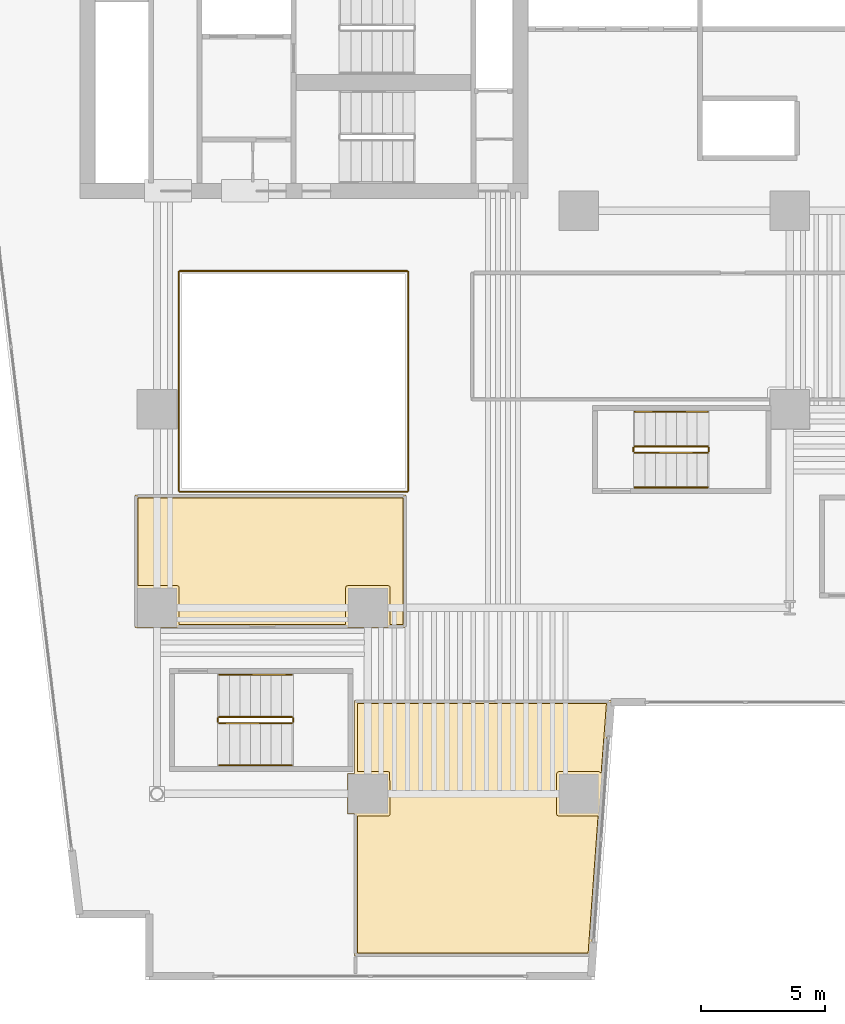
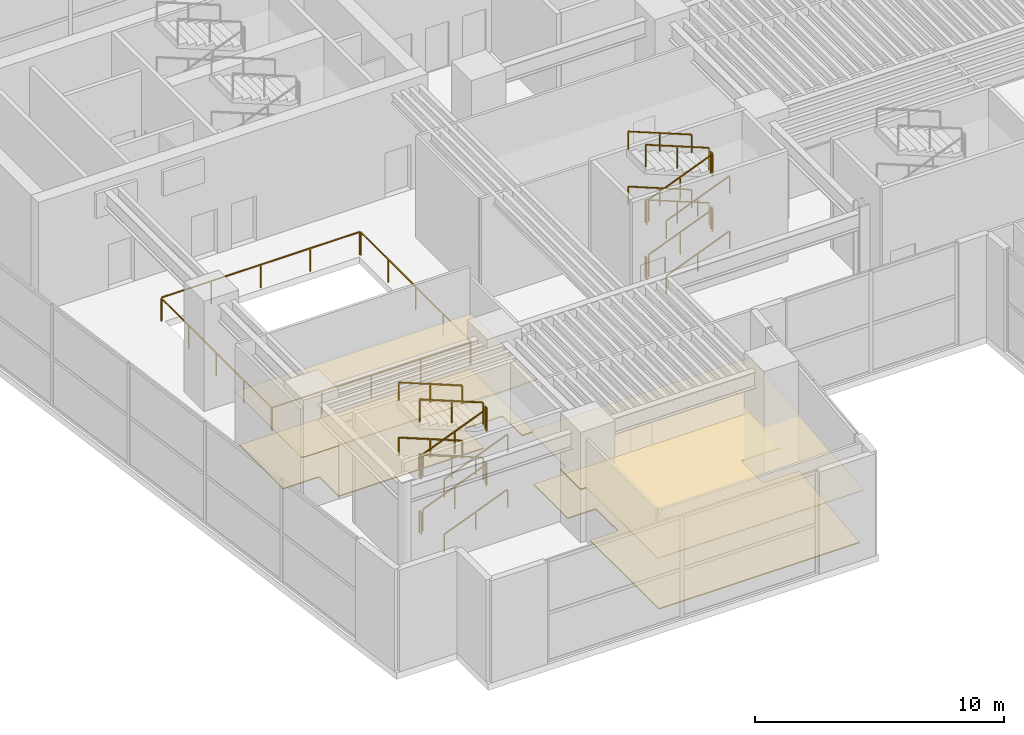
# One storey, part 13 of 16: 28 railings, 4 coverings.
"""IFC4 building model written with IfcOpenShell, lengths in metres."""

from ifc_helpers import new_model, si_unit, direction, frame, origin, origin_2d, place, context, subcontext, project, spatial, polyline, rectangle, outline, extrude, material, layer, layer_set, type_object, element, save


model = new_model("IFC4")

# Units and contexts
model_context = context("Model", 3, precision=1e-05, world=origin(), true_north=direction((0.0, 1.0)))
body_context = subcontext(model_context, "Body", "Model", "MODEL_VIEW")
ifc_project = project(units=[si_unit("LENGTHUNIT", "METRE"), si_unit("AREAUNIT", "SQUARE_METRE"), si_unit("VOLUMEUNIT", "CUBIC_METRE"), si_unit("PLANEANGLEUNIT", "RADIAN"), si_unit("MASSUNIT", "GRAM", prefix="KILO")], contexts=[model_context])

# Site, building, storey
site_placement = place(None, origin())
site = spatial("IfcSite", under=ifc_project, at=site_placement, CompositionType="ELEMENT")
building_placement = place(site_placement, origin())
building = spatial("IfcBuilding", under=site, at=building_placement, Name="Caeloran Harvest Quay", CompositionType="ELEMENT")
storey_placement = place(building_placement, frame((0.0, 0.0, 16.199951171875)))
storey = spatial("IfcBuildingStorey", under=building, at=storey_placement, Name="L04", CompositionType="ELEMENT", Elevation=16.199951171875)

# Coverings
ifc_material_1 = material(Name="Perforated Mineral-Fibre Acoustic Ceiling Tile", Category="ceiling")
ifc_layer_1 = layer(ifc_material_1, 0.0400390625, Name="Perforated Mineral-Fibre Acoustic Ceiling Tile")
ifc_layer_set_1 = layer_set([ifc_layer_1], Name="Perforated Mineral-Fibre Acoustic Ceiling Tile")
covering_type_1 = type_object("IfcCoveringType", Name="COV-CEILING-ACOUSTIC", PredefinedType="CEILING", material=ifc_layer_set_1)
covering_1_placement = place(storey_placement, frame((0.0, 0.0, 2.60009765625)))
element("IfcCovering", 1, at=covering_1_placement, inside=storey, type_object=covering_type_1, Name="Urban Agriculture Culinary Teaching Classroom Acoustic Ceiling", PredefinedType="CEILING", context=body_context, shape_type="SweptSolid", body=[
    extrude(outline(polyline([(9.320068359375, 14.179931640625), (7.679931640625, 14.179931640625), (7.679931640625, 14.2099609375), (7.610107421875, 14.2099609375), (7.610107421875, 19.5400390625), (18.5400390625, 19.5400390625), (18.5400390625, 14.2099609375), (17.820068359375, 14.2099609375), (17.820068359375, 14.179931640625), (16.179931640625, 14.179931640625), (16.179931640625, 14.2099609375), (9.320068359375, 14.2099609375), (9.320068359375, 14.179931640625)])), origin(), (0.0, 0.0, 1.0), 0.0400390625),
])
covering_2_placement = place(storey_placement, frame((0.0, 0.0, 2.60009765625)))
element("IfcCovering", 2, at=covering_2_placement, inside=storey, type_object=covering_type_1, Name="Sensory Nutrition Seminar Auditorium Acoustic Ceiling", PredefinedType="CEILING", context=body_context, shape_type="SweptSolid", body=[
    extrude(outline(polyline([(26.763916015625, 11.177001953125), (26.716552734375, 11.054931640625), (25.985107421875, 0.9599609375), (16.4599609375, 0.9599609375), (16.4599609375, 6.679931640625), (16.179931640625, 6.679931640625), (16.179931640625, 8.320068359375), (16.4599609375, 8.320068359375), (16.4599609375, 11.260009765625), (26.8369140625, 11.260009765625), (26.763916015625, 11.177001953125)])), origin(), (0.0, 0.0, 1.0), 0.0400390625),
])
ifc_material_2 = material(Name="Calcium-Sulphate Raised Access Floor and Terrazzo Finish", Category="flooring")
ifc_layer_2 = layer(ifc_material_2, 0.050048828125, Name="Calcium-Sulphate Raised Access Floor and Terrazzo Finish")
ifc_layer_set_2 = layer_set([ifc_layer_2], Name="Calcium-Sulphate Raised Access Floor and Terrazzo Finish")
covering_type_2 = type_object("IfcCoveringType", Name="COV-FLOOR-RAISED", PredefinedType="FLOORING", material=ifc_layer_set_2)
covering_3_placement = place(storey_placement, origin())
element("IfcCovering", 3, at=covering_3_placement, inside=storey, type_object=covering_type_2, Name="Urban Agriculture Culinary Teaching Classroom Raised Finish Flooring", PredefinedType="FLOORING", context=body_context, shape_type="SweptSolid", body=[
    extrude(outline(polyline([(7.72998046875, 15.89501953125), (7.72998046875, 19.419921875), (18.419921875, 19.419921875), (18.419921875, 14.330078125), (17.89501953125, 14.330078125), (17.89501953125, 15.81494140625), (17.876708984375, 15.86572265625), (17.82275390625, 15.89453125), (16.18505859375, 15.89501953125), (16.12841796875, 15.87158203125), (16.10498046875, 15.81494140625), (16.10498046875, 14.330078125), (9.39501953125, 14.330078125), (9.39501953125, 15.81494140625), (9.37158203125, 15.87158203125), (9.31494140625, 15.89501953125), (7.72998046875, 15.89501953125)])), origin(), (0.0, 0.0, 1.0), 0.050048828125),
])
covering_4_placement = place(storey_placement, origin())
element("IfcCovering", 4, at=covering_4_placement, inside=storey, type_object=covering_type_2, Name="Sensory Nutrition Seminar Auditorium Raised Finish Flooring", PredefinedType="FLOORING", context=body_context, shape_type="SweptSolid", body=[
    extrude(outline(polyline([(26.273681640625, 6.60498046875), (25.873291015625, 1.080078125), (16.580078125, 1.080078125), (16.580078125, 6.60498046875), (17.82275390625, 6.60546875), (17.876708984375, 6.63427734375), (17.89501953125, 6.68505859375), (17.876708984375, 8.36572265625), (17.81494140625, 8.39501953125), (16.580078125, 8.39501953125), (16.580078125, 11.139892578125), (26.611328125, 11.139892578125), (26.39501953125, 8.278564453125), (26.381591796875, 8.359375), (26.31494140625, 8.39501953125), (24.68505859375, 8.39501953125), (24.63427734375, 8.376708984375), (24.60546875, 8.32275390625), (24.60498046875, 6.68505859375), (24.62841796875, 6.62841796875), (24.68505859375, 6.60498046875), (26.273681640625, 6.60498046875)])), origin(), (0.0, 0.0, 1.0), 0.050048828125),
])

# Railings
ifc_material_3 = material(Name="Powder-Coated Steel Post and Laminated Glass Guardrail", Category="steel")
ifc_layer_3 = layer(ifc_material_3, 0.06005859375, Name="Powder-Coated Steel Post and Laminated Glass Guardrail")
ifc_layer_set_3 = layer_set([ifc_layer_3], Name="Powder-Coated Steel Post and Laminated Glass Guardrail")
railing_type_1 = type_object("IfcRailingType", Name="GUARD-ATRIUM-1150", PredefinedType="GUARDRAIL", material=ifc_layer_set_3)
railing_1_placement = place(storey_placement, frame((9.412109375, 19.679931640625, 0.0)))
element("IfcRailing", 5, at=railing_1_placement, inside=storey, type_object=railing_type_1, Name="L04 Skylit Atrium Void Perimeter Guardrail Seg 1", PredefinedType="GUARDRAIL", context=body_context, shape_type="SweptSolid", body=[
    extrude(rectangle(XDim=0.048095703125, YDim=0.048095703125, at=origin_2d()), frame((0.0, 0.0, 1.1259765625), z_axis=(1.0, 0.0, 0.0), x_axis=(0.0, 1.0, 0.0)), (0.0, 0.0, 1.0), 9.17578125),
    extrude(rectangle(XDim=0.0419921875, YDim=0.0419921875, at=origin_2d()), origin(), (0.0, 0.0, 1.0), 1.101806640625),
    extrude(rectangle(XDim=0.0419921875, YDim=0.0419921875, at=origin_2d()), frame((2.2939453125, 0.0, 0.0)), (0.0, 0.0, 1.0), 1.101806640625),
    extrude(rectangle(XDim=0.0419921875, YDim=0.0419921875, at=origin_2d()), frame((4.587890625, 0.0, 0.0)), (0.0, 0.0, 1.0), 1.101806640625),
    extrude(rectangle(XDim=0.0419921875, YDim=0.0419921875, at=origin_2d()), frame((6.8818359375, 0.0, 0.0)), (0.0, 0.0, 1.0), 1.101806640625),
    extrude(rectangle(XDim=0.0419921875, YDim=0.0419921875, at=origin_2d()), frame((9.17578125, 0.0, 0.0)), (0.0, 0.0, 1.0), 1.101806640625),
])
railing_2_placement = place(storey_placement, frame((18.6201171875, 19.7119140625, 0.0)))
element("IfcRailing", 6, at=railing_2_placement, inside=storey, type_object=railing_type_1, Name="L04 Skylit Atrium Void Perimeter Guardrail Seg 2", PredefinedType="GUARDRAIL", context=body_context, shape_type="SweptSolid", body=[
    extrude(rectangle(XDim=0.048095703125, YDim=0.048095703125, at=origin_2d()), frame((0.0, 0.0, 1.1259765625), z_axis=(0.0, 1.0, 0.0), x_axis=(-1.0, 0.0, 0.0)), (0.0, 0.0, 1.0), 8.826171875),
    extrude(rectangle(XDim=0.0419921875, YDim=0.0419921875, at=origin_2d()), origin(), (0.0, 0.0, 1.0), 1.101806640625),
    extrude(rectangle(XDim=0.0419921875, YDim=0.0419921875, at=origin_2d()), frame((0.0, 2.20654296875, 0.0)), (0.0, 0.0, 1.0), 1.101806640625),
    extrude(rectangle(XDim=0.0419921875, YDim=0.0419921875, at=origin_2d()), frame((0.0, 4.4130859375, 0.0)), (0.0, 0.0, 1.0), 1.101806640625),
    extrude(rectangle(XDim=0.0419921875, YDim=0.0419921875, at=origin_2d()), frame((0.0, 6.61962890625, 0.0)), (0.0, 0.0, 1.0), 1.101806640625),
    extrude(rectangle(XDim=0.0419921875, YDim=0.0419921875, at=origin_2d()), frame((0.0, 8.826171875, 0.0)), (0.0, 0.0, 1.0), 1.101806640625),
])
railing_3_placement = place(storey_placement, frame((18.587890625, 28.570068359375, 0.0)))
element("IfcRailing", 7, at=railing_3_placement, inside=storey, type_object=railing_type_1, Name="L04 Skylit Atrium Void Perimeter Guardrail Seg 3", PredefinedType="GUARDRAIL", context=body_context, shape_type="SweptSolid", body=[
    extrude(rectangle(XDim=0.048095703125, YDim=0.048095703125, at=origin_2d()), frame((0.0, 0.0, 1.1259765625), z_axis=(-1.0, 0.0, 0.0), x_axis=(0.0, -1.0, 0.0)), (0.0, 0.0, 1.0), 9.17578125),
    extrude(rectangle(XDim=0.0419921875, YDim=0.0419921875, at=origin_2d()), origin(), (0.0, 0.0, 1.0), 1.101806640625),
    extrude(rectangle(XDim=0.0419921875, YDim=0.0419921875, at=origin_2d()), frame((-2.2939453125, 0.0, 0.0)), (0.0, 0.0, 1.0), 1.101806640625),
    extrude(rectangle(XDim=0.0419921875, YDim=0.0419921875, at=origin_2d()), frame((-4.587890625, 0.0, 0.0)), (0.0, 0.0, 1.0), 1.101806640625),
    extrude(rectangle(XDim=0.0419921875, YDim=0.0419921875, at=origin_2d()), frame((-6.8818359375, 0.0, 0.0)), (0.0, 0.0, 1.0), 1.101806640625),
    extrude(rectangle(XDim=0.0419921875, YDim=0.0419921875, at=origin_2d()), frame((-9.17578125, 0.0, 0.0)), (0.0, 0.0, 1.0), 1.101806640625),
])
railing_4_placement = place(storey_placement, frame((9.3798828125, 28.5380859375, 0.0)))
element("IfcRailing", 8, at=railing_4_placement, inside=storey, type_object=railing_type_1, Name="L04 Skylit Atrium Void Perimeter Guardrail Seg 4", PredefinedType="GUARDRAIL", context=body_context, shape_type="SweptSolid", body=[
    extrude(rectangle(XDim=0.048095703125, YDim=0.048095703125, at=origin_2d()), frame((0.0, 0.0, 1.1259765625), z_axis=(0.0, -1.0, 0.0), x_axis=(1.0, 0.0, 0.0)), (0.0, 0.0, 1.0), 8.826171875),
    extrude(rectangle(XDim=0.0419921875, YDim=0.0419921875, at=origin_2d()), origin(), (0.0, 0.0, 1.0), 1.101806640625),
    extrude(rectangle(XDim=0.0419921875, YDim=0.0419921875, at=origin_2d()), frame((0.0, -2.20654296875, 0.0)), (0.0, 0.0, 1.0), 1.101806640625),
    extrude(rectangle(XDim=0.0419921875, YDim=0.0419921875, at=origin_2d()), frame((0.0, -4.4130859375, 0.0)), (0.0, 0.0, 1.0), 1.101806640625),
    extrude(rectangle(XDim=0.0419921875, YDim=0.0419921875, at=origin_2d()), frame((0.0, -6.61962890625, 0.0)), (0.0, 0.0, 1.0), 1.101806640625),
    extrude(rectangle(XDim=0.0419921875, YDim=0.0419921875, at=origin_2d()), frame((0.0, -8.826171875, 0.0)), (0.0, 0.0, 1.0), 1.101806640625),
])
ifc_material_4 = material(Name="Painted Steel Baluster and Top-Rail Stair Guard", Category="steel")
ifc_layer_4 = layer(ifc_material_4, 0.050048828125, Name="Painted Steel Baluster and Top-Rail Stair Guard")
ifc_layer_set_4 = layer_set([ifc_layer_4], Name="Painted Steel Baluster and Top-Rail Stair Guard")
railing_type_2 = type_object("IfcRailingType", Name="STAIR-GUARD-1100", PredefinedType="GUARDRAIL", material=ifc_layer_set_4)
railing_5_placement = place(storey_placement, frame((27.75, 21.25, 0.168701171875)))
element("IfcRailing", 9, at=railing_5_placement, inside=storey, type_object=railing_type_2, Name="L04 ST-W1 stair guard 1", PredefinedType="GUARDRAIL", context=body_context, shape_type="SweptSolid", body=[
    extrude(rectangle(XDim=0.048095703125, YDim=0.048095703125, at=origin_2d()), frame((0.0, 0.0, 1.076171875), z_axis=(0.927885657282, 0.0, 0.372864864274), x_axis=(0.0, 1.0, 0.0)), (0.0, 0.0, 1.0), 3.16845703125),
    extrude(rectangle(XDim=0.0419921875, YDim=0.0419921875, at=origin_2d()), origin(), (0.0, 0.0, 1.0), 1.052001953125),
    extrude(rectangle(XDim=0.0419921875, YDim=0.0419921875, at=origin_2d()), frame((1.469970703125, 0.0, 0.5908203125)), (0.0, 0.0, 1.0), 1.052001953125),
    extrude(rectangle(XDim=0.0419921875, YDim=0.0419921875, at=origin_2d()), frame((2.93994140625, 0.0, 1.181396484375)), (0.0, 0.0, 1.0), 1.052001953125),
])
railing_6_placement = place(storey_placement, frame((30.739990234375, 21.300048828125, 1.35009765625)))
element("IfcRailing", 10, at=railing_6_placement, inside=storey, type_object=railing_type_2, Name="L04 ST-W1 stair guard 2", PredefinedType="GUARDRAIL", context=body_context, shape_type="SweptSolid", body=[
    extrude(rectangle(XDim=0.048095703125, YDim=0.048095703125, at=origin_2d()), frame((0.0, 0.0, 1.076171875), z_axis=(0.0, 1.0, 0.0), x_axis=(-1.0, 0.0, 0.0)), (0.0, 0.0, 1.0), 0.14990234375),
    extrude(rectangle(XDim=0.0419921875, YDim=0.0419921875, at=origin_2d()), origin(), (0.0, 0.0, 1.0), 1.052001953125),
    extrude(rectangle(XDim=0.0419921875, YDim=0.0419921875, at=origin_2d()), frame((0.0, 0.14990234375, 0.0)), (0.0, 0.0, 1.0), 1.052001953125),
])
railing_7_placement = place(storey_placement, frame((30.68994140625, 21.5, 1.518798828125)))
element("IfcRailing", 11, at=railing_7_placement, inside=storey, type_object=railing_type_2, Name="L04 ST-W1 stair guard 3", PredefinedType="GUARDRAIL", context=body_context, shape_type="SweptSolid", body=[
    extrude(rectangle(XDim=0.048095703125, YDim=0.048095703125, at=origin_2d()), frame((0.0, 0.0, 1.076171875), z_axis=(-0.927912314548, 0.0, 0.372798519995), x_axis=(0.0, -1.0, 0.0)), (0.0, 0.0, 1.0), 3.16845703125),
    extrude(rectangle(XDim=0.0419921875, YDim=0.0419921875, at=origin_2d()), origin(), (0.0, 0.0, 1.0), 1.052001953125),
    extrude(rectangle(XDim=0.0419921875, YDim=0.0419921875, at=origin_2d()), frame((-1.469970703125, 0.0, 0.590576171875)), (0.0, 0.0, 1.0), 1.052001953125),
    extrude(rectangle(XDim=0.0419921875, YDim=0.0419921875, at=origin_2d()), frame((-2.93994140625, 0.0, 1.18115234375)), (0.0, 0.0, 1.0), 1.052001953125),
])
railing_8_placement = place(storey_placement, frame((27.699951171875, 21.300048828125, 2.699951171875)))
element("IfcRailing", 12, at=railing_8_placement, inside=storey, type_object=railing_type_2, Name="L04 ST-W1 stair guard 4", PredefinedType="GUARDRAIL", context=body_context, shape_type="SweptSolid", body=[
    extrude(rectangle(XDim=0.048095703125, YDim=0.048095703125, at=origin_2d()), frame((0.0, 0.0, 1.076171875), z_axis=(0.0, 1.0, 0.0), x_axis=(-1.0, 0.0, 0.0)), (0.0, 0.0, 1.0), 0.14990234375),
    extrude(rectangle(XDim=0.0419921875, YDim=0.0419921875, at=origin_2d()), origin(), (0.0, 0.0, 1.0), 1.052001953125),
    extrude(rectangle(XDim=0.0419921875, YDim=0.0419921875, at=origin_2d()), frame((0.0, 0.14990234375, 0.0)), (0.0, 0.0, 1.0), 1.052001953125),
])
railing_9_placement = place(storey_placement, frame((27.75, 21.25, 2.868896484375)))
element("IfcRailing", 13, at=railing_9_placement, inside=storey, type_object=railing_type_2, Name="L04 ST-W1 stair guard 5", PredefinedType="GUARDRAIL", context=body_context, shape_type="SweptSolid", body=[
    extrude(rectangle(XDim=0.048095703125, YDim=0.048095703125, at=origin_2d()), frame((0.0, 0.0, 1.076171875), z_axis=(0.927912314548, 0.0, 0.372798519995), x_axis=(0.0, 1.0, 0.0)), (0.0, 0.0, 1.0), 3.16845703125),
    extrude(rectangle(XDim=0.0419921875, YDim=0.0419921875, at=origin_2d()), origin(), (0.0, 0.0, 1.0), 1.052001953125),
    extrude(rectangle(XDim=0.0419921875, YDim=0.0419921875, at=origin_2d()), frame((1.469970703125, 0.0, 0.590576171875)), (0.0, 0.0, 1.0), 1.052001953125),
    extrude(rectangle(XDim=0.0419921875, YDim=0.0419921875, at=origin_2d()), frame((2.93994140625, 0.0, 1.18115234375)), (0.0, 0.0, 1.0), 1.052001953125),
])
railing_10_placement = place(storey_placement, frame((30.739990234375, 21.300048828125, 4.050048828125)))
element("IfcRailing", 14, at=railing_10_placement, inside=storey, type_object=railing_type_2, Name="L04 ST-W1 stair guard 6", PredefinedType="GUARDRAIL", context=body_context, shape_type="SweptSolid", body=[
    extrude(rectangle(XDim=0.048095703125, YDim=0.048095703125, at=origin_2d()), frame((0.0, 0.0, 1.076171875), z_axis=(0.0, 1.0, 0.0), x_axis=(-1.0, 0.0, 0.0)), (0.0, 0.0, 1.0), 0.14990234375),
    extrude(rectangle(XDim=0.0419921875, YDim=0.0419921875, at=origin_2d()), origin(), (0.0, 0.0, 1.0), 1.052001953125),
    extrude(rectangle(XDim=0.0419921875, YDim=0.0419921875, at=origin_2d()), frame((0.0, 0.14990234375, 0.0)), (0.0, 0.0, 1.0), 1.052001953125),
])
railing_11_placement = place(storey_placement, frame((30.68994140625, 21.5, 4.21875)))
element("IfcRailing", 15, at=railing_11_placement, inside=storey, type_object=railing_type_2, Name="L04 ST-W1 stair guard 7", PredefinedType="GUARDRAIL", context=body_context, shape_type="SweptSolid", body=[
    extrude(rectangle(XDim=0.048095703125, YDim=0.048095703125, at=origin_2d()), frame((0.0, 0.0, 1.076171875), z_axis=(-0.927885657282, 0.0, 0.372864864274), x_axis=(0.0, -1.0, 0.0)), (0.0, 0.0, 1.0), 3.16845703125),
    extrude(rectangle(XDim=0.0419921875, YDim=0.0419921875, at=origin_2d()), origin(), (0.0, 0.0, 1.0), 1.052001953125),
    extrude(rectangle(XDim=0.0419921875, YDim=0.0419921875, at=origin_2d()), frame((-1.469970703125, 0.0, 0.5908203125)), (0.0, 0.0, 1.0), 1.052001953125),
    extrude(rectangle(XDim=0.0419921875, YDim=0.0419921875, at=origin_2d()), frame((-2.93994140625, 0.0, 1.181396484375)), (0.0, 0.0, 1.0), 1.052001953125),
])
railing_12_placement = place(storey_placement, frame((27.699951171875, 21.300048828125, 0.0)))
element("IfcRailing", 16, at=railing_12_placement, inside=storey, type_object=railing_type_2, Name="L04 ST-W1 stair guard 8", PredefinedType="GUARDRAIL", context=body_context, shape_type="SweptSolid", body=[
    extrude(rectangle(XDim=0.048095703125, YDim=0.048095703125, at=origin_2d()), frame((0.0, 0.0, 1.076171875), z_axis=(0.0, 1.0, 0.0), x_axis=(-1.0, 0.0, 0.0)), (0.0, 0.0, 1.0), 0.14990234375),
    extrude(rectangle(XDim=0.0419921875, YDim=0.0419921875, at=origin_2d()), origin(), (0.0, 0.0, 1.0), 1.052001953125),
    extrude(rectangle(XDim=0.0419921875, YDim=0.0419921875, at=origin_2d()), frame((0.0, 0.14990234375, 0.0)), (0.0, 0.0, 1.0), 1.052001953125),
])
railing_13_placement = place(storey_placement, frame((11.0, 10.35009765625, 0.168701171875)))
element("IfcRailing", 17, at=railing_13_placement, inside=storey, type_object=railing_type_2, Name="L04 ST-P1 stair guard 1", PredefinedType="GUARDRAIL", context=body_context, shape_type="SweptSolid", body=[
    extrude(rectangle(XDim=0.048095703125, YDim=0.048095703125, at=origin_2d()), frame((0.0, 0.0, 1.076171875), z_axis=(0.927885657282, 0.0, 0.372864864274), x_axis=(0.0, 1.0, 0.0)), (0.0, 0.0, 1.0), 3.16845703125),
    extrude(rectangle(XDim=0.0419921875, YDim=0.0419921875, at=origin_2d()), origin(), (0.0, 0.0, 1.0), 1.052001953125),
    extrude(rectangle(XDim=0.0419921875, YDim=0.0419921875, at=origin_2d()), frame((1.469970703125, 0.0, 0.5908203125)), (0.0, 0.0, 1.0), 1.052001953125),
    extrude(rectangle(XDim=0.0419921875, YDim=0.0419921875, at=origin_2d()), frame((2.93994140625, 0.0, 1.181396484375)), (0.0, 0.0, 1.0), 1.052001953125),
])
railing_14_placement = place(storey_placement, frame((13.989990234375, 10.39990234375, 1.35009765625)))
element("IfcRailing", 18, at=railing_14_placement, inside=storey, type_object=railing_type_2, Name="L04 ST-P1 stair guard 2", PredefinedType="GUARDRAIL", context=body_context, shape_type="SweptSolid", body=[
    extrude(rectangle(XDim=0.048095703125, YDim=0.048095703125, at=origin_2d()), frame((0.0, 0.0, 1.076171875), z_axis=(0.0, 1.0, 0.0), x_axis=(-1.0, 0.0, 0.0)), (0.0, 0.0, 1.0), 0.150146484375),
    extrude(rectangle(XDim=0.0419921875, YDim=0.0419921875, at=origin_2d()), origin(), (0.0, 0.0, 1.0), 1.052001953125),
    extrude(rectangle(XDim=0.0419921875, YDim=0.0419921875, at=origin_2d()), frame((0.0, 0.150146484375, 0.0)), (0.0, 0.0, 1.0), 1.052001953125),
])
railing_15_placement = place(storey_placement, frame((13.93994140625, 10.60009765625, 1.518798828125)))
element("IfcRailing", 19, at=railing_15_placement, inside=storey, type_object=railing_type_2, Name="L04 ST-P1 stair guard 3", PredefinedType="GUARDRAIL", context=body_context, shape_type="SweptSolid", body=[
    extrude(rectangle(XDim=0.048095703125, YDim=0.048095703125, at=origin_2d()), frame((0.0, 0.0, 1.076171875), z_axis=(-0.927912314548, 0.0, 0.372798519995), x_axis=(0.0, -1.0, 0.0)), (0.0, 0.0, 1.0), 3.16845703125),
    extrude(rectangle(XDim=0.0419921875, YDim=0.0419921875, at=origin_2d()), origin(), (0.0, 0.0, 1.0), 1.052001953125),
    extrude(rectangle(XDim=0.0419921875, YDim=0.0419921875, at=origin_2d()), frame((-1.469970703125, 0.0, 0.590576171875)), (0.0, 0.0, 1.0), 1.052001953125),
    extrude(rectangle(XDim=0.0419921875, YDim=0.0419921875, at=origin_2d()), frame((-2.93994140625, 0.0, 1.18115234375)), (0.0, 0.0, 1.0), 1.052001953125),
])
railing_16_placement = place(storey_placement, frame((10.949951171875, 10.39990234375, 2.699951171875)))
element("IfcRailing", 20, at=railing_16_placement, inside=storey, type_object=railing_type_2, Name="L04 ST-P1 stair guard 4", PredefinedType="GUARDRAIL", context=body_context, shape_type="SweptSolid", body=[
    extrude(rectangle(XDim=0.048095703125, YDim=0.048095703125, at=origin_2d()), frame((0.0, 0.0, 1.076171875), z_axis=(0.0, 1.0, 0.0), x_axis=(-1.0, 0.0, 0.0)), (0.0, 0.0, 1.0), 0.150146484375),
    extrude(rectangle(XDim=0.0419921875, YDim=0.0419921875, at=origin_2d()), origin(), (0.0, 0.0, 1.0), 1.052001953125),
    extrude(rectangle(XDim=0.0419921875, YDim=0.0419921875, at=origin_2d()), frame((0.0, 0.150146484375, 0.0)), (0.0, 0.0, 1.0), 1.052001953125),
])
railing_17_placement = place(storey_placement, frame((11.0, 10.35009765625, 2.868896484375)))
element("IfcRailing", 21, at=railing_17_placement, inside=storey, type_object=railing_type_2, Name="L04 ST-P1 stair guard 5", PredefinedType="GUARDRAIL", context=body_context, shape_type="SweptSolid", body=[
    extrude(rectangle(XDim=0.048095703125, YDim=0.048095703125, at=origin_2d()), frame((0.0, 0.0, 1.076171875), z_axis=(0.927912314548, 0.0, 0.372798519995), x_axis=(0.0, 1.0, 0.0)), (0.0, 0.0, 1.0), 3.16845703125),
    extrude(rectangle(XDim=0.0419921875, YDim=0.0419921875, at=origin_2d()), origin(), (0.0, 0.0, 1.0), 1.052001953125),
    extrude(rectangle(XDim=0.0419921875, YDim=0.0419921875, at=origin_2d()), frame((1.469970703125, 0.0, 0.590576171875)), (0.0, 0.0, 1.0), 1.052001953125),
    extrude(rectangle(XDim=0.0419921875, YDim=0.0419921875, at=origin_2d()), frame((2.93994140625, 0.0, 1.18115234375)), (0.0, 0.0, 1.0), 1.052001953125),
])
railing_18_placement = place(storey_placement, frame((13.989990234375, 10.39990234375, 4.050048828125)))
element("IfcRailing", 22, at=railing_18_placement, inside=storey, type_object=railing_type_2, Name="L04 ST-P1 stair guard 6", PredefinedType="GUARDRAIL", context=body_context, shape_type="SweptSolid", body=[
    extrude(rectangle(XDim=0.048095703125, YDim=0.048095703125, at=origin_2d()), frame((0.0, 0.0, 1.076171875), z_axis=(0.0, 1.0, 0.0), x_axis=(-1.0, 0.0, 0.0)), (0.0, 0.0, 1.0), 0.150146484375),
    extrude(rectangle(XDim=0.0419921875, YDim=0.0419921875, at=origin_2d()), origin(), (0.0, 0.0, 1.0), 1.052001953125),
    extrude(rectangle(XDim=0.0419921875, YDim=0.0419921875, at=origin_2d()), frame((0.0, 0.150146484375, 0.0)), (0.0, 0.0, 1.0), 1.052001953125),
])
railing_19_placement = place(storey_placement, frame((13.93994140625, 10.60009765625, 4.21875)))
element("IfcRailing", 23, at=railing_19_placement, inside=storey, type_object=railing_type_2, Name="L04 ST-P1 stair guard 7", PredefinedType="GUARDRAIL", context=body_context, shape_type="SweptSolid", body=[
    extrude(rectangle(XDim=0.048095703125, YDim=0.048095703125, at=origin_2d()), frame((0.0, 0.0, 1.076171875), z_axis=(-0.927885657282, 0.0, 0.372864864274), x_axis=(0.0, -1.0, 0.0)), (0.0, 0.0, 1.0), 3.16845703125),
    extrude(rectangle(XDim=0.0419921875, YDim=0.0419921875, at=origin_2d()), origin(), (0.0, 0.0, 1.0), 1.052001953125),
    extrude(rectangle(XDim=0.0419921875, YDim=0.0419921875, at=origin_2d()), frame((-1.469970703125, 0.0, 0.5908203125)), (0.0, 0.0, 1.0), 1.052001953125),
    extrude(rectangle(XDim=0.0419921875, YDim=0.0419921875, at=origin_2d()), frame((-2.93994140625, 0.0, 1.181396484375)), (0.0, 0.0, 1.0), 1.052001953125),
])
railing_20_placement = place(storey_placement, frame((10.949951171875, 10.39990234375, 0.0)))
element("IfcRailing", 24, at=railing_20_placement, inside=storey, type_object=railing_type_2, Name="L04 ST-P1 stair guard 8", PredefinedType="GUARDRAIL", context=body_context, shape_type="SweptSolid", body=[
    extrude(rectangle(XDim=0.048095703125, YDim=0.048095703125, at=origin_2d()), frame((0.0, 0.0, 1.076171875), z_axis=(0.0, 1.0, 0.0), x_axis=(-1.0, 0.0, 0.0)), (0.0, 0.0, 1.0), 0.150146484375),
    extrude(rectangle(XDim=0.0419921875, YDim=0.0419921875, at=origin_2d()), origin(), (0.0, 0.0, 1.0), 1.052001953125),
    extrude(rectangle(XDim=0.0419921875, YDim=0.0419921875, at=origin_2d()), frame((0.0, 0.150146484375, 0.0)), (0.0, 0.0, 1.0), 1.052001953125),
])
ifc_material_5 = material(Name="Brushed Stainless Steel Grade 304", Category="steel")
ifc_layer_5 = layer(ifc_material_5, 0.050048828125, Name="Brushed Stainless Steel Grade 304")
ifc_layer_set_5 = layer_set([ifc_layer_5], Name="Brushed Stainless Steel Grade 304")
railing_type_3 = type_object("IfcRailingType", Name="STAIR-HANDRAIL-900", PredefinedType="HANDRAIL", material=ifc_layer_set_5)
railing_21_placement = place(storey_placement, frame((27.75, 19.85009765625, 0.168701171875)))
element("IfcRailing", 25, at=railing_21_placement, inside=storey, type_object=railing_type_3, Name="L04 ST-W1 stair handrail 1", PredefinedType="HANDRAIL", context=body_context, shape_type="SweptSolid", body=[
    extrude(rectangle(XDim=0.048095703125, YDim=0.048095703125, at=origin_2d()), frame((0.0, 0.0, 0.8759765625), z_axis=(0.927885657282, 0.0, 0.372864864274), x_axis=(0.0, 1.0, 0.0)), (0.0, 0.0, 1.0), 3.16845703125),
    extrude(rectangle(XDim=0.0419921875, YDim=0.0419921875, at=origin_2d()), origin(), (0.0, 0.0, 1.0), 0.851806640625),
    extrude(rectangle(XDim=0.0419921875, YDim=0.0419921875, at=origin_2d()), frame((1.469970703125, 0.0, 0.5908203125)), (0.0, 0.0, 1.0), 0.851806640625),
    extrude(rectangle(XDim=0.0419921875, YDim=0.0419921875, at=origin_2d()), frame((2.93994140625, 0.0, 1.181396484375)), (0.0, 0.0, 1.0), 0.851806640625),
])
railing_22_placement = place(storey_placement, frame((30.68994140625, 22.89990234375, 1.518798828125)))
element("IfcRailing", 26, at=railing_22_placement, inside=storey, type_object=railing_type_3, Name="L04 ST-W1 stair handrail 2", PredefinedType="HANDRAIL", context=body_context, shape_type="SweptSolid", body=[
    extrude(rectangle(XDim=0.048095703125, YDim=0.048095703125, at=origin_2d()), frame((0.0, 0.0, 0.8759765625), z_axis=(-0.927912314548, 0.0, 0.372798519995), x_axis=(0.0, -1.0, 0.0)), (0.0, 0.0, 1.0), 3.16845703125),
    extrude(rectangle(XDim=0.0419921875, YDim=0.0419921875, at=origin_2d()), origin(), (0.0, 0.0, 1.0), 0.851806640625),
    extrude(rectangle(XDim=0.0419921875, YDim=0.0419921875, at=origin_2d()), frame((-1.469970703125, 0.0, 0.590576171875)), (0.0, 0.0, 1.0), 0.851806640625),
    extrude(rectangle(XDim=0.0419921875, YDim=0.0419921875, at=origin_2d()), frame((-2.93994140625, 0.0, 1.18115234375)), (0.0, 0.0, 1.0), 0.851806640625),
])
railing_23_placement = place(storey_placement, frame((27.75, 19.85009765625, 2.868896484375)))
element("IfcRailing", 27, at=railing_23_placement, inside=storey, type_object=railing_type_3, Name="L04 ST-W1 stair handrail 3", PredefinedType="HANDRAIL", context=body_context, shape_type="SweptSolid", body=[
    extrude(rectangle(XDim=0.048095703125, YDim=0.048095703125, at=origin_2d()), frame((0.0, 0.0, 0.8759765625), z_axis=(0.927912314548, 0.0, 0.372798519995), x_axis=(0.0, 1.0, 0.0)), (0.0, 0.0, 1.0), 3.16845703125),
    extrude(rectangle(XDim=0.0419921875, YDim=0.0419921875, at=origin_2d()), origin(), (0.0, 0.0, 1.0), 0.851806640625),
    extrude(rectangle(XDim=0.0419921875, YDim=0.0419921875, at=origin_2d()), frame((1.469970703125, 0.0, 0.590576171875)), (0.0, 0.0, 1.0), 0.851806640625),
    extrude(rectangle(XDim=0.0419921875, YDim=0.0419921875, at=origin_2d()), frame((2.93994140625, 0.0, 1.18115234375)), (0.0, 0.0, 1.0), 0.851806640625),
])
railing_24_placement = place(storey_placement, frame((30.68994140625, 22.89990234375, 4.21875)))
element("IfcRailing", 28, at=railing_24_placement, inside=storey, type_object=railing_type_3, Name="L04 ST-W1 stair handrail 4", PredefinedType="HANDRAIL", context=body_context, shape_type="SweptSolid", body=[
    extrude(rectangle(XDim=0.048095703125, YDim=0.048095703125, at=origin_2d()), frame((0.0, 0.0, 0.8759765625), z_axis=(-0.927885657282, 0.0, 0.372864864274), x_axis=(0.0, -1.0, 0.0)), (0.0, 0.0, 1.0), 3.16845703125),
    extrude(rectangle(XDim=0.0419921875, YDim=0.0419921875, at=origin_2d()), origin(), (0.0, 0.0, 1.0), 0.851806640625),
    extrude(rectangle(XDim=0.0419921875, YDim=0.0419921875, at=origin_2d()), frame((-1.469970703125, 0.0, 0.5908203125)), (0.0, 0.0, 1.0), 0.851806640625),
    extrude(rectangle(XDim=0.0419921875, YDim=0.0419921875, at=origin_2d()), frame((-2.93994140625, 0.0, 1.181396484375)), (0.0, 0.0, 1.0), 0.851806640625),
])
railing_25_placement = place(storey_placement, frame((11.0, 8.64990234375, 0.168701171875)))
element("IfcRailing", 29, at=railing_25_placement, inside=storey, type_object=railing_type_3, Name="L04 ST-P1 stair handrail 1", PredefinedType="HANDRAIL", context=body_context, shape_type="SweptSolid", body=[
    extrude(rectangle(XDim=0.048095703125, YDim=0.048095703125, at=origin_2d()), frame((0.0, 0.0, 0.8759765625), z_axis=(0.927885657282, 0.0, 0.372864864274), x_axis=(0.0, 1.0, 0.0)), (0.0, 0.0, 1.0), 3.16845703125),
    extrude(rectangle(XDim=0.0419921875, YDim=0.0419921875, at=origin_2d()), origin(), (0.0, 0.0, 1.0), 0.851806640625),
    extrude(rectangle(XDim=0.0419921875, YDim=0.0419921875, at=origin_2d()), frame((1.469970703125, 0.0, 0.5908203125)), (0.0, 0.0, 1.0), 0.851806640625),
    extrude(rectangle(XDim=0.0419921875, YDim=0.0419921875, at=origin_2d()), frame((2.93994140625, 0.0, 1.181396484375)), (0.0, 0.0, 1.0), 0.851806640625),
])
railing_26_placement = place(storey_placement, frame((13.93994140625, 12.300048828125, 1.518798828125)))
element("IfcRailing", 30, at=railing_26_placement, inside=storey, type_object=railing_type_3, Name="L04 ST-P1 stair handrail 2", PredefinedType="HANDRAIL", context=body_context, shape_type="SweptSolid", body=[
    extrude(rectangle(XDim=0.048095703125, YDim=0.048095703125, at=origin_2d()), frame((0.0, 0.0, 0.8759765625), z_axis=(-0.927912314548, 0.0, 0.372798519995), x_axis=(0.0, -1.0, 0.0)), (0.0, 0.0, 1.0), 3.16845703125),
    extrude(rectangle(XDim=0.0419921875, YDim=0.0419921875, at=origin_2d()), origin(), (0.0, 0.0, 1.0), 0.851806640625),
    extrude(rectangle(XDim=0.0419921875, YDim=0.0419921875, at=origin_2d()), frame((-1.469970703125, 0.0, 0.590576171875)), (0.0, 0.0, 1.0), 0.851806640625),
    extrude(rectangle(XDim=0.0419921875, YDim=0.0419921875, at=origin_2d()), frame((-2.93994140625, 0.0, 1.18115234375)), (0.0, 0.0, 1.0), 0.851806640625),
])
railing_27_placement = place(storey_placement, frame((11.0, 8.64990234375, 2.868896484375)))
element("IfcRailing", 31, at=railing_27_placement, inside=storey, type_object=railing_type_3, Name="L04 ST-P1 stair handrail 3", PredefinedType="HANDRAIL", context=body_context, shape_type="SweptSolid", body=[
    extrude(rectangle(XDim=0.048095703125, YDim=0.048095703125, at=origin_2d()), frame((0.0, 0.0, 0.8759765625), z_axis=(0.927912314548, 0.0, 0.372798519995), x_axis=(0.0, 1.0, 0.0)), (0.0, 0.0, 1.0), 3.16845703125),
    extrude(rectangle(XDim=0.0419921875, YDim=0.0419921875, at=origin_2d()), origin(), (0.0, 0.0, 1.0), 0.851806640625),
    extrude(rectangle(XDim=0.0419921875, YDim=0.0419921875, at=origin_2d()), frame((1.469970703125, 0.0, 0.590576171875)), (0.0, 0.0, 1.0), 0.851806640625),
    extrude(rectangle(XDim=0.0419921875, YDim=0.0419921875, at=origin_2d()), frame((2.93994140625, 0.0, 1.18115234375)), (0.0, 0.0, 1.0), 0.851806640625),
])
railing_28_placement = place(storey_placement, frame((13.93994140625, 12.300048828125, 4.21875)))
element("IfcRailing", 32, at=railing_28_placement, inside=storey, type_object=railing_type_3, Name="L04 ST-P1 stair handrail 4", PredefinedType="HANDRAIL", context=body_context, shape_type="SweptSolid", body=[
    extrude(rectangle(XDim=0.048095703125, YDim=0.048095703125, at=origin_2d()), frame((0.0, 0.0, 0.8759765625), z_axis=(-0.927885657282, 0.0, 0.372864864274), x_axis=(0.0, -1.0, 0.0)), (0.0, 0.0, 1.0), 3.16845703125),
    extrude(rectangle(XDim=0.0419921875, YDim=0.0419921875, at=origin_2d()), origin(), (0.0, 0.0, 1.0), 0.851806640625),
    extrude(rectangle(XDim=0.0419921875, YDim=0.0419921875, at=origin_2d()), frame((-1.469970703125, 0.0, 0.5908203125)), (0.0, 0.0, 1.0), 0.851806640625),
    extrude(rectangle(XDim=0.0419921875, YDim=0.0419921875, at=origin_2d()), frame((-2.93994140625, 0.0, 1.181396484375)), (0.0, 0.0, 1.0), 0.851806640625),
])

save(model, "model.ifc")
